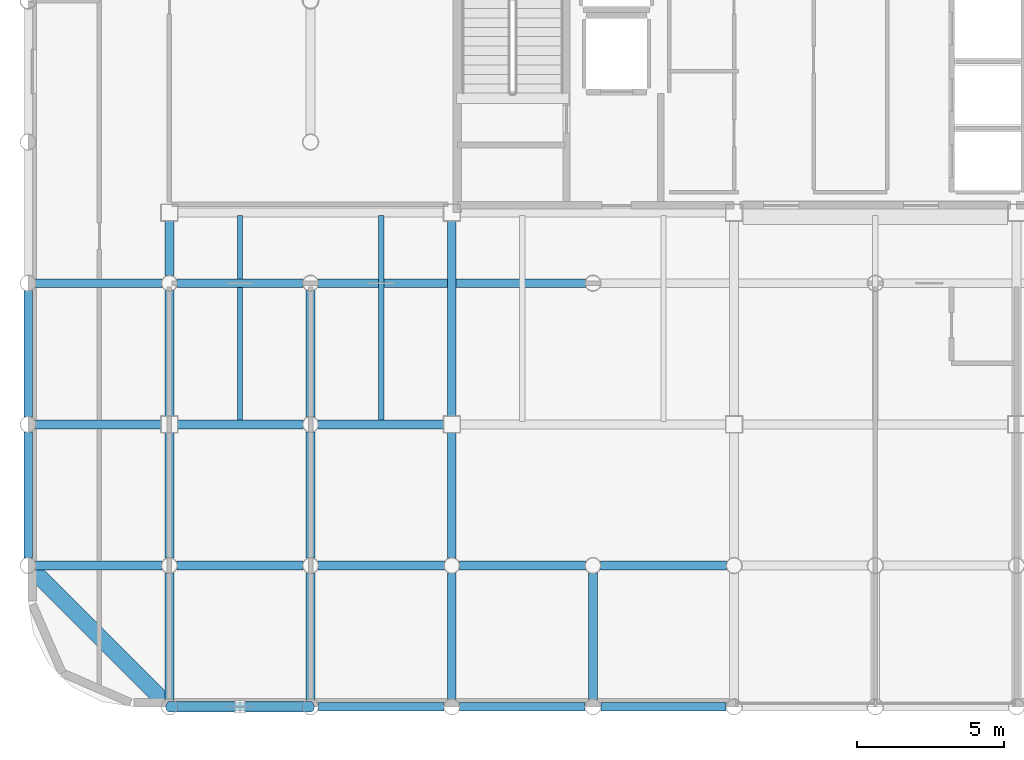
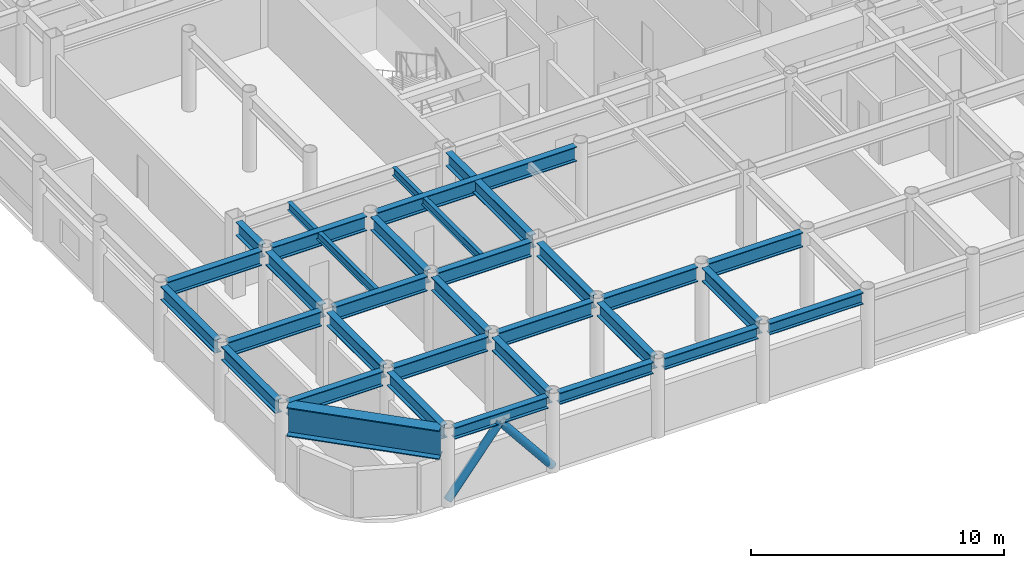
# One storey, part 3 of 21: 31 beams, 2 members.
"""IFC4 building model written with IfcOpenShell, lengths in metres."""

from ifc_helpers import new_model, si_unit, direction, frame, origin, origin_2d, place, context, subcontext, project, spatial, hollow_circle, i_section, extrude, material, material_profile, profile_set, type_object, element, save


model = new_model("IFC4")

# Units and contexts
model_context = context("Model", 3, precision=1e-05, world=origin(), true_north=direction((0.0, 1.0)))
body_context = subcontext(model_context, "Body", "Model", "MODEL_VIEW")
ifc_project = project(units=[si_unit("LENGTHUNIT", "METRE"), si_unit("AREAUNIT", "SQUARE_METRE"), si_unit("VOLUMEUNIT", "CUBIC_METRE"), si_unit("PLANEANGLEUNIT", "RADIAN"), si_unit("MASSUNIT", "GRAM", prefix="KILO")], contexts=[model_context])

# Site, building, storey
site_placement = place(None, origin())
site = spatial("IfcSite", under=ifc_project, at=site_placement, CompositionType="ELEMENT")
building_placement = place(site_placement, origin())
building = spatial("IfcBuilding", under=site, at=building_placement, Name="Kallvorn Hotel Tower", CompositionType="ELEMENT")
storey_placement = place(building_placement, frame((0.0, 0.0, 210.75)))
storey = spatial("IfcBuildingStorey", under=building, at=storey_placement, Name="L52", CompositionType="ELEMENT", Elevation=210.75)

# Beams
ifc_material_1 = material(Name="Structural steel S355JR", Category="steel")
ifc_material_profile_1 = material_profile(ifc_material_1, i_section(OverallWidth=0.300048828125, OverallDepth=0.550048828125, WebThickness=0.014892578125, FlangeThickness=0.029052734375, at=origin_2d()), Name="HE 550 B")
ifc_profile_set_1 = profile_set([ifc_material_profile_1], Name="Structural steel S355JR")
beam_type_1 = type_object("IfcBeamType", Name="BM_HE550B", PredefinedType="SPANDREL", material=ifc_profile_set_1)
for number, where, z_axis, x_axis, name in (
    (1, (-23.73046875, -24.0, 3.39501953125), (1.0, 0.0, 0.0), (0.0, 1.0, 0.0), "L53 Perimeter Spandrel 151"),
    (2, (-18.930419921875, -24.0, 3.39501953125), (1.0, 0.0, 0.0), (0.0, 1.0, 0.0), "L53 Perimeter Spandrel 152"),
):
    element("IfcBeam", number, at=place(storey_placement, frame(where, z_axis=z_axis, x_axis=x_axis)), inside=storey, type_object=beam_type_1, Name=name, PredefinedType="SPANDREL", context=body_context, shape_type="SweptSolid", body=[
        extrude(i_section(OverallWidth=0.300048828125, OverallDepth=0.550048828125, WebThickness=0.014892578125, FlangeThickness=0.029052734375, at=origin_2d()), origin(), (0.0, 0.0, 1.0), 4.260986328125),
    ])
beam_1_placement = place(storey_placement, frame((-14.130615234375, -24.0, 3.39501953125), z_axis=(1.0, 0.0, 0.0), x_axis=(0.0, 1.0, 0.0)))
element("IfcBeam", 3, at=beam_1_placement, inside=storey, type_object=beam_type_1, Name="L53 Perimeter Spandrel 153", PredefinedType="SPANDREL", context=body_context, shape_type="SweptSolid", body=[
    extrude(i_section(OverallWidth=0.300048828125, OverallDepth=0.550048828125, WebThickness=0.014892578125, FlangeThickness=0.029052734375, at=origin_2d()), origin(), (0.0, 0.0, 1.0), 4.26123046875),
])
beam_2_placement = place(storey_placement, frame((-9.33056640625, -24.0, 3.39501953125), z_axis=(1.0, 0.0, 0.0), x_axis=(0.0, 1.0, 0.0)))
element("IfcBeam", 4, at=beam_2_placement, inside=storey, type_object=beam_type_1, Name="L53 Perimeter Spandrel 154", PredefinedType="SPANDREL", context=body_context, shape_type="SweptSolid", body=[
    extrude(i_section(OverallWidth=0.300048828125, OverallDepth=0.550048828125, WebThickness=0.014892578125, FlangeThickness=0.029052734375, at=origin_2d()), origin(), (0.0, 0.0, 1.0), 4.260986328125),
])
ifc_material_2 = material(Name="Structural steel S355JR", Category="steel")
ifc_material_profile_2 = material_profile(ifc_material_2, i_section(OverallWidth=0.300048828125, OverallDepth=0.64990234375, WebThickness=0.01611328125, FlangeThickness=0.031005859375, at=origin_2d()), Name="HE 650 B")
ifc_profile_set_2 = profile_set([ifc_material_profile_2], Name="Structural steel S355JR")
beam_type_2 = type_object("IfcBeamType", Name="BM_HE650B", PredefinedType="BEAM", material=ifc_profile_set_2)
for number, where, z_axis, x_axis, name in (
    (5, (-28.800048828125, -18.945556640625, 3.344970703125), (0.0, 1.0, 0.0), (-1.0, 0.0, 0.0), "L53 Primary Y-Girder 73"),
    (6, (-28.800048828125, -14.1455078125, 3.344970703125), (0.0, 1.0, 0.0), (-1.0, 0.0, 0.0), "L53 Primary Y-Girder 74"),
    (7, (-24.0, -23.74560546875, 3.344970703125), (0.0, 1.0, 0.0), (-1.0, 0.0, 0.0), "L53 Primary Y-Girder 81"),
):
    element("IfcBeam", number, at=place(storey_placement, frame(where, z_axis=z_axis, x_axis=x_axis)), inside=storey, type_object=beam_type_2, Name=name, PredefinedType="BEAM", context=body_context, shape_type="SweptSolid", body=[
        extrude(i_section(OverallWidth=0.300048828125, OverallDepth=0.64990234375, WebThickness=0.01611328125, FlangeThickness=0.031005859375, at=origin_2d()), origin(), (0.0, 0.0, 1.0), 4.291015625),
    ])
for number, where, z_axis, x_axis, name in (
    (8, (-24.0, -18.945556640625, 3.344970703125), (0.0, 1.0, 0.0), (-1.0, 0.0, 0.0), "L53 Primary Y-Girder 82"),
    (9, (-24.0, -14.125, 3.344970703125), (0.0, 1.0, 0.0), (-1.0, 0.0, 0.0), "L53 Primary Y-Girder 83"),
):
    element("IfcBeam", number, at=place(storey_placement, frame(where, z_axis=z_axis, x_axis=x_axis)), inside=storey, type_object=beam_type_2, Name=name, PredefinedType="BEAM", context=body_context, shape_type="SweptSolid", body=[
        extrude(i_section(OverallWidth=0.300048828125, OverallDepth=0.64990234375, WebThickness=0.01611328125, FlangeThickness=0.031005859375, at=origin_2d()), origin(), (0.0, 0.0, 1.0), 4.2705078125),
    ])
beam_3_placement = place(storey_placement, frame((-24.0, -9.345458984375, 3.344970703125), z_axis=(0.0, 1.0, 0.0), x_axis=(-1.0, 0.0, 0.0)))
element("IfcBeam", 10, at=beam_3_placement, inside=storey, type_object=beam_type_2, Name="L53 Primary Y-Girder 84", PredefinedType="BEAM", context=body_context, shape_type="SweptSolid", body=[
    extrude(i_section(OverallWidth=0.300048828125, OverallDepth=0.64990234375, WebThickness=0.01611328125, FlangeThickness=0.031005859375, at=origin_2d()), origin(), (0.0, 0.0, 1.0), 1.870361328125),
])
for number, where, z_axis, x_axis, name in (
    (11, (-19.199951171875, -23.74560546875, 3.344970703125), (0.0, 1.0, 0.0), (-1.0, 0.0, 0.0), "L53 Primary Y-Girder 88"),
    (12, (-19.199951171875, -18.945556640625, 3.344970703125), (0.0, 1.0, 0.0), (-1.0, 0.0, 0.0), "L53 Primary Y-Girder 89"),
    (13, (-19.199951171875, -14.1455078125, 3.344970703125), (0.0, 1.0, 0.0), (-1.0, 0.0, 0.0), "L53 Primary Y-Girder 90"),
    (14, (-14.39990234375, -23.74560546875, 3.344970703125), (0.0, 1.0, 0.0), (-1.0, 0.0, 0.0), "L53 Primary Y-Girder 97"),
):
    element("IfcBeam", number, at=place(storey_placement, frame(where, z_axis=z_axis, x_axis=x_axis)), inside=storey, type_object=beam_type_2, Name=name, PredefinedType="BEAM", context=body_context, shape_type="SweptSolid", body=[
        extrude(i_section(OverallWidth=0.300048828125, OverallDepth=0.64990234375, WebThickness=0.01611328125, FlangeThickness=0.031005859375, at=origin_2d()), origin(), (0.0, 0.0, 1.0), 4.291015625),
    ])
beam_4_placement = place(storey_placement, frame((-14.39990234375, -18.945556640625, 3.344970703125), z_axis=(0.0, 1.0, 0.0), x_axis=(-1.0, 0.0, 0.0)))
element("IfcBeam", 15, at=beam_4_placement, inside=storey, type_object=beam_type_2, Name="L53 Primary Y-Girder 98", PredefinedType="BEAM", context=body_context, shape_type="SweptSolid", body=[
    extrude(i_section(OverallWidth=0.300048828125, OverallDepth=0.64990234375, WebThickness=0.01611328125, FlangeThickness=0.031005859375, at=origin_2d()), origin(), (0.0, 0.0, 1.0), 4.2705078125),
])
beam_5_placement = place(storey_placement, frame((-14.39990234375, -14.125, 3.344970703125), z_axis=(0.0, 1.0, 0.0), x_axis=(-1.0, 0.0, 0.0)))
element("IfcBeam", 16, at=beam_5_placement, inside=storey, type_object=beam_type_2, Name="L53 Primary Y-Girder 99", PredefinedType="BEAM", context=body_context, shape_type="SweptSolid", body=[
    extrude(i_section(OverallWidth=0.300048828125, OverallDepth=0.64990234375, WebThickness=0.01611328125, FlangeThickness=0.031005859375, at=origin_2d()), origin(), (0.0, 0.0, 1.0), 6.64990234375),
])
beam_6_placement = place(storey_placement, frame((-9.60009765625, -23.74560546875, 3.344970703125), z_axis=(0.0, 1.0, 0.0), x_axis=(-1.0, 0.0, 0.0)))
element("IfcBeam", 17, at=beam_6_placement, inside=storey, type_object=beam_type_2, Name="L53 Primary Y-Girder 102", PredefinedType="BEAM", context=body_context, shape_type="SweptSolid", body=[
    extrude(i_section(OverallWidth=0.300048828125, OverallDepth=0.64990234375, WebThickness=0.01611328125, FlangeThickness=0.031005859375, at=origin_2d()), origin(), (0.0, 0.0, 1.0), 4.291015625),
])
ifc_material_3 = material(Name="Structural steel S355JR", Category="steel")
ifc_material_profile_3 = material_profile(ifc_material_3, i_section(OverallWidth=0.300048828125, OverallDepth=0.699951171875, WebThickness=0.01708984375, FlangeThickness=0.031982421875, at=origin_2d()), Name="HE 700 B")
ifc_profile_set_3 = profile_set([ifc_material_profile_3], Name="Structural steel S355JR")
beam_type_3 = type_object("IfcBeamType", Name="BM_HE700B", PredefinedType="BEAM", material=ifc_profile_set_3)
for number, where, z_axis, x_axis, name in (
    (18, (-28.54541015625, -19.199951171875, 3.320068359375), (1.0, 0.0, 0.0), (0.0, 1.0, 0.0), "L53 Primary X-Girder 01"),
    (19, (-23.74560546875, -19.199951171875, 3.320068359375), (1.0, 0.0, 0.0), (0.0, 1.0, 0.0), "L53 Primary X-Girder 02"),
    (20, (-18.945556640625, -19.199951171875, 3.320068359375), (1.0, 0.0, 0.0), (0.0, 1.0, 0.0), "L53 Primary X-Girder 03"),
    (21, (-14.1455078125, -19.199951171875, 3.320068359375), (1.0, 0.0, 0.0), (0.0, 1.0, 0.0), "L53 Primary X-Girder 04"),
    (22, (-9.345458984375, -19.199951171875, 3.320068359375), (1.0, 0.0, 0.0), (0.0, 1.0, 0.0), "L53 Primary X-Girder 05"),
):
    element("IfcBeam", number, at=place(storey_placement, frame(where, z_axis=z_axis, x_axis=x_axis)), inside=storey, type_object=beam_type_3, Name=name, PredefinedType="BEAM", context=body_context, shape_type="SweptSolid", body=[
        extrude(i_section(OverallWidth=0.300048828125, OverallDepth=0.699951171875, WebThickness=0.01708984375, FlangeThickness=0.031982421875, at=origin_2d()), origin(), (0.0, 0.0, 1.0), 4.291015625),
    ])
for number, where, z_axis, x_axis, name in (
    (23, (-28.54541015625, -14.39990234375, 3.320068359375), (1.0, 0.0, 0.0), (0.0, 1.0, 0.0), "L53 Primary X-Girder 14"),
    (24, (-23.72509765625, -14.39990234375, 3.320068359375), (1.0, 0.0, 0.0), (0.0, 1.0, 0.0), "L53 Primary X-Girder 15"),
    (25, (-18.945556640625, -14.39990234375, 3.320068359375), (1.0, 0.0, 0.0), (0.0, 1.0, 0.0), "L53 Primary X-Girder 16"),
):
    element("IfcBeam", number, at=place(storey_placement, frame(where, z_axis=z_axis, x_axis=x_axis)), inside=storey, type_object=beam_type_3, Name=name, PredefinedType="BEAM", context=body_context, shape_type="SweptSolid", body=[
        extrude(i_section(OverallWidth=0.300048828125, OverallDepth=0.699951171875, WebThickness=0.01708984375, FlangeThickness=0.031982421875, at=origin_2d()), origin(), (0.0, 0.0, 1.0), 4.2705078125),
    ])
for number, where, z_axis, x_axis, name in (
    (26, (-28.54541015625, -9.60009765625, 3.320068359375), (1.0, 0.0, 0.0), (0.0, 1.0, 0.0), "L53 Primary X-Girder 24"),
    (27, (-23.74560546875, -9.60009765625, 3.320068359375), (1.0, 0.0, 0.0), (0.0, 1.0, 0.0), "L53 Primary X-Girder 25"),
):
    element("IfcBeam", number, at=place(storey_placement, frame(where, z_axis=z_axis, x_axis=x_axis)), inside=storey, type_object=beam_type_3, Name=name, PredefinedType="BEAM", context=body_context, shape_type="SweptSolid", body=[
        extrude(i_section(OverallWidth=0.300048828125, OverallDepth=0.699951171875, WebThickness=0.01708984375, FlangeThickness=0.031982421875, at=origin_2d()), origin(), (0.0, 0.0, 1.0), 4.291015625),
    ])
beam_7_placement = place(storey_placement, frame((-18.945556640625, -9.60009765625, 3.320068359375), z_axis=(1.0, 0.0, 0.0), x_axis=(0.0, 1.0, 0.0)))
element("IfcBeam", 28, at=beam_7_placement, inside=storey, type_object=beam_type_3, Name="L53 Primary X-Girder 26", PredefinedType="BEAM", context=body_context, shape_type="SweptSolid", body=[
    extrude(i_section(OverallWidth=0.300048828125, OverallDepth=0.699951171875, WebThickness=0.01708984375, FlangeThickness=0.031982421875, at=origin_2d()), origin(), (0.0, 0.0, 1.0), 9.091064453125),
])
ifc_material_4 = material(Name="Structural steel S355JR", Category="steel")
ifc_material_profile_4 = material_profile(ifc_material_4, i_section(OverallWidth=0.179931640625, OverallDepth=0.39990234375, WebThickness=0.008544921875, FlangeThickness=0.013427734375, at=origin_2d()), Name="IPE 400")
ifc_profile_set_4 = profile_set([ifc_material_profile_4], Name="Structural steel S355JR")
beam_type_4 = type_object("IfcBeamType", Name="BM_IPE400", PredefinedType="JOIST", material=ifc_profile_set_4)
for number, where, z_axis, x_axis, name in (
    (29, (-21.60009765625, -14.300048828125, 3.469970703125), (0.0, 1.0, 0.0), (-1.0, 0.0, 0.0), "L53 Secondary Composite Joist 192"),
    (30, (-16.800048828125, -14.300048828125, 3.469970703125), (0.0, 1.0, 0.0), (-1.0, 0.0, 0.0), "L53 Secondary Composite Joist 194"),
):
    element("IfcBeam", number, at=place(storey_placement, frame(where, z_axis=z_axis, x_axis=x_axis)), inside=storey, type_object=beam_type_4, Name=name, PredefinedType="JOIST", context=body_context, shape_type="SweptSolid", body=[
        extrude(i_section(OverallWidth=0.179931640625, OverallDepth=0.39990234375, WebThickness=0.008544921875, FlangeThickness=0.013427734375, at=origin_2d()), origin(), (0.0, 0.0, 1.0), 7.0),
    ])
ifc_material_5 = material(Name="Structural steel S355JR", Category="steel")
ifc_material_profile_5 = material_profile(ifc_material_5, i_section(OverallWidth=0.550048828125, OverallDepth=1.39990234375, WebThickness=0.02490234375, FlangeThickness=0.044921875, at=origin_2d()), Name="PG 1400x550x25x45")
ifc_profile_set_5 = profile_set([ifc_material_profile_5], Name="Structural steel S355JR")
beam_type_5 = type_object("IfcBeamType", Name="BM_PG_1400", PredefinedType="BEAM", material=ifc_profile_set_5)
beam_8_placement = place(storey_placement, frame((-28.609375, -19.390625, 2.969970703125), z_axis=(0.707106781187, -0.707106781187, 0.0), x_axis=(0.707106781187, 0.707106781187, 0.0)))
element("IfcBeam", 31, at=beam_8_placement, inside=storey, type_object=beam_type_5, Name="L53 Rounded Corner Tie Beam 189", PredefinedType="BEAM", context=body_context, shape_type="SweptSolid", body=[
    extrude(i_section(OverallWidth=0.550048828125, OverallDepth=1.39990234375, WebThickness=0.02490234375, FlangeThickness=0.044921875, at=origin_2d()), origin(), (0.0, 0.0, 1.0), 6.2490234375),
])

# Members
ifc_material_6 = material(Name="Structural steel S355J2H", Category="steel")
ifc_material_profile_6 = material_profile(ifc_material_6, hollow_circle(Radius=0.177734375, WallThickness=0.01416015625, at=origin_2d()), Name="CHS 355.6x14.2")
ifc_profile_set_6 = profile_set([ifc_material_profile_6], Name="Structural steel S355J2H")
member_type = type_object("IfcMemberType", Name="MBR_EXO_CHS355", PredefinedType="BRACE", material=ifc_profile_set_6)
for number, where, z_axis, x_axis, name in (
    (32, (-23.987548828125, -24.0, 0.195556640625), (0.627270878626, 0.0, 0.778801158722), (0.0, 1.0, 0.0), "L52 Exoskeleton K-Brace S1A"),
    (33, (-19.21240234375, -24.0, 0.195556640625), (-0.627270878626, 0.0, 0.778801158722), (0.0, -1.0, 0.0), "L52 Exoskeleton K-Brace S1B"),
):
    element("IfcMember", number, at=place(storey_placement, frame(where, z_axis=z_axis, x_axis=x_axis)), inside=storey, type_object=member_type, Name=name, PredefinedType="BRACE", context=body_context, shape_type="SweptSolid", body=[
        extrude(hollow_circle(Radius=0.177734375, WallThickness=0.01416015625, at=origin_2d()), origin(), (0.0, 0.0, 1.0), 3.7861328125),
    ])

save(model, "model.ifc")
